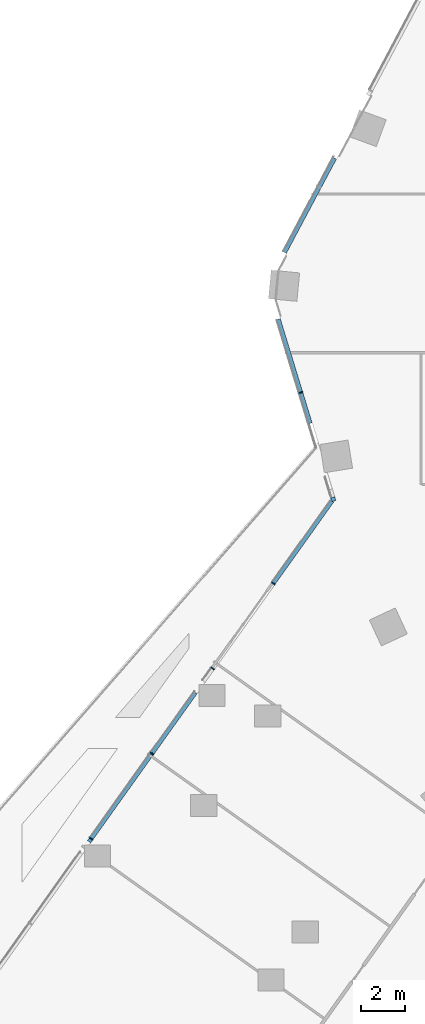
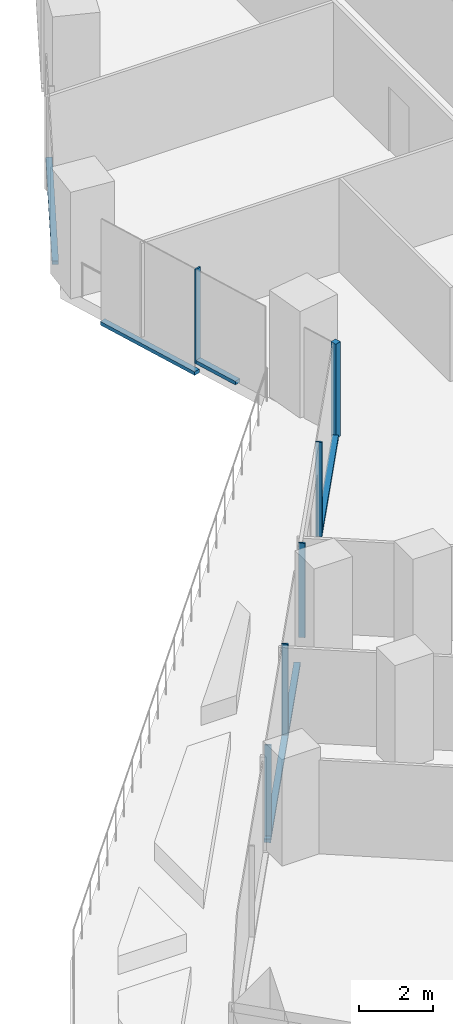
# One storey, part 6 of 30: 11 members, 3 elements without a shape of their own.
"""IFC4 building model written with IfcOpenShell, lengths in metres."""

from ifc_helpers import new_model, si_unit, direction, frame, origin, origin_2d, place, context, subcontext, project, spatial, rectangle, extrude, material, material_profile, profile_set, type_object, element, aggregate, save


model = new_model("IFC4")

# Units and contexts
model_context = context("Model", 3, precision=1e-05, world=origin(), true_north=direction((0.0, 1.0)))
body_context = subcontext(model_context, "Body", "Model", "MODEL_VIEW")
ifc_project = project(units=[si_unit("LENGTHUNIT", "METRE"), si_unit("AREAUNIT", "SQUARE_METRE"), si_unit("VOLUMEUNIT", "CUBIC_METRE"), si_unit("PLANEANGLEUNIT", "RADIAN"), si_unit("MASSUNIT", "GRAM", prefix="KILO")], contexts=[model_context])

# Site, building, storey
site_placement = place(None, origin())
site = spatial("IfcSite", under=ifc_project, at=site_placement, CompositionType="ELEMENT")
building_placement = place(site_placement, origin())
building = spatial("IfcBuilding", under=site, at=building_placement, Name="Orlundy Tower", CompositionType="ELEMENT")
storey_placement = place(building_placement, frame((0.0, 0.0, 80.699951171875)))
storey = spatial("IfcBuildingStorey", under=building, at=storey_placement, Name="L19", CompositionType="ELEMENT", Elevation=80.699951171875)

# Curtain wall, member
ifc_material_1 = material(Name="Aluminium bronze anodised", Category="aluminium")
curtain_wall_type = type_object("IfcCurtainWallType", Name="CW1 wall", PredefinedType="NOTDEFINED", material=ifc_material_1)
curtain_wall_1_placement = place(storey_placement, origin())
curtain_wall_1 = element("IfcCurtainWall", 1, at=curtain_wall_1_placement, inside=storey, type_object=curtain_wall_type, Name="CW1 run 01", PredefinedType="NOTDEFINED")
ifc_material_2 = material(Name="Aluminium bronze anodised", Category="aluminium")
ifc_material_profile_1 = material_profile(ifc_material_2, rectangle(XDim=0.179931640625, YDim=0.179931640625, at=origin_2d()), Name="CW1 corner post 180x180")
ifc_profile_set_1 = profile_set([ifc_material_profile_1], Name="Aluminium bronze anodised")
member_type_1 = type_object("IfcMemberType", Name="CW1 corner post 180x180", PredefinedType="MULLION", material=ifc_profile_set_1)
member_1_placement = place(storey_placement, frame((-29.427978515625, -6.660888671875, 0.0), z_axis=(0.0, 0.0, 1.0), x_axis=(-0.956299228529, -0.292389783533, 0.0)))
member_1 = element("IfcMember", 2, at=member_1_placement, type_object=member_type_1, Name="CW1 mullion 7", PredefinedType="MULLION", context=body_context, shape_type="SweptSolid", body=[
    extrude(rectangle(XDim=0.179931640625, YDim=0.179931640625, at=origin_2d()), origin(), (0.0, 0.0, 1.0), 3.10009765625),
])

# Curtain wall, members
curtain_wall_2_placement = place(storey_placement, origin())
curtain_wall_2 = element("IfcCurtainWall", 3, at=curtain_wall_2_placement, inside=storey, type_object=curtain_wall_type, Name="CW1 run 00", PredefinedType="NOTDEFINED")
ifc_material_3 = material(Name="Aluminium bronze anodised", Category="aluminium")
ifc_material_profile_2 = material_profile(ifc_material_3, rectangle(XDim=0.179931640625, YDim=0.050048828125, at=origin_2d()), Name="CW1 mullion 50x180")
ifc_profile_set_2 = profile_set([ifc_material_profile_2], Name="Aluminium bronze anodised")
member_type_2 = type_object("IfcMemberType", Name="CW1 mullion 50x180", PredefinedType="MULLION", material=ifc_profile_set_2)
member_2_placement = place(storey_placement, frame((-40.4482421875, -22.11083984375, 0.0), z_axis=(0.0, 0.0, 1.0), x_axis=(-0.814116921316, 0.580700988829, 0.0)))
member_2 = element("IfcMember", 4, at=member_2_placement, type_object=member_type_2, Name="CW1 mullion 3", PredefinedType="MULLION", context=body_context, shape_type="SweptSolid", body=[
    extrude(rectangle(XDim=0.179931640625, YDim=0.050048828125, at=origin_2d()), origin(), (0.0, 0.0, 1.0), 3.10009765625),
])
member_3_placement = place(storey_placement, frame((-37.686767578125, -18.2392578125, 0.0), z_axis=(0.0, 0.0, 1.0), x_axis=(-0.814116921316, 0.580700988829, 0.0)))
member_3 = element("IfcMember", 5, at=member_3_placement, type_object=member_type_2, Name="CW1 mullion 4", PredefinedType="MULLION", context=body_context, shape_type="SweptSolid", body=[
    extrude(rectangle(XDim=0.179931640625, YDim=0.050048828125, at=origin_2d()), origin(), (0.0, 0.0, 1.0), 3.10009765625),
])
member_4_placement = place(storey_placement, frame((-34.92529296875, -14.36767578125, 0.0), z_axis=(0.0, 0.0, 1.0), x_axis=(-0.814116921316, 0.580700988829, 0.0)))
member_4 = element("IfcMember", 6, at=member_4_placement, type_object=member_type_2, Name="CW1 mullion 5", PredefinedType="MULLION", context=body_context, shape_type="SweptSolid", body=[
    extrude(rectangle(XDim=0.179931640625, YDim=0.050048828125, at=origin_2d()), origin(), (0.0, 0.0, 1.0), 3.10009765625),
])
member_5_placement = place(storey_placement, frame((-32.163818359375, -10.496337890625, 0.0), z_axis=(0.0, 0.0, 1.0), x_axis=(-0.814116921316, 0.580700988829, 0.0)))
member_5 = element("IfcMember", 7, at=member_5_placement, type_object=member_type_2, Name="CW1 mullion 6", PredefinedType="MULLION", context=body_context, shape_type="SweptSolid", body=[
    extrude(rectangle(XDim=0.179931640625, YDim=0.050048828125, at=origin_2d()), origin(), (0.0, 0.0, 1.0), 3.10009765625),
])

# Member
member_6_placement = place(storey_placement, frame((-30.91162109375, -1.808837890625, 0.0), z_axis=(0.0, 0.0, 1.0), x_axis=(-0.956299228529, -0.292389783533, 0.0)))
member_6 = element("IfcMember", 8, at=member_6_placement, type_object=member_type_2, Name="CW1 mullion 8", PredefinedType="MULLION", context=body_context, shape_type="SweptSolid", body=[
    extrude(rectangle(XDim=0.179931640625, YDim=0.050048828125, at=origin_2d()), origin(), (0.0, 0.0, 1.0), 3.10009765625),
])

ifc_material_4 = material(Name="Aluminium bronze anodised", Category="aluminium")
ifc_material_profile_3 = material_profile(ifc_material_4, rectangle(XDim=0.179931640625, YDim=0.1201171875, at=origin_2d()), Name="CW1 transom 180x120")
ifc_profile_set_3 = profile_set([ifc_material_profile_3], Name="Aluminium bronze anodised")
member_type_3 = type_object("IfcMemberType", Name="CW1 transom 180x120", PredefinedType="USERDEFINED", material=ifc_profile_set_3)
member_7_placement = place(storey_placement, frame((-40.547607421875, -22.25, 0.06005859375), z_axis=(0.580695047202, 0.814121159383, 0.0), x_axis=(-0.814121159383, 0.580695047202, 0.0)))
member_7 = element("IfcMember", 9, at=member_7_placement, type_object=member_type_3, Name="CW1 transom", ObjectType="TRANSOM", PredefinedType="USERDEFINED", context=body_context, shape_type="SweptSolid", body=[
    extrude(rectangle(XDim=0.179931640625, YDim=0.1201171875, at=origin_2d()), origin(), (0.0, 0.0, 1.0), 8.3359375),
])

member_8_placement = place(storey_placement, frame((-32.149169921875, -10.475830078125, 0.06005859375), z_axis=(0.580692597785, 0.814122906494, 0.0), x_axis=(-0.814122906494, 0.580692597785, 0.0)))
member_8 = element("IfcMember", 10, at=member_8_placement, type_object=member_type_3, Name="CW1 transom", ObjectType="TRANSOM", PredefinedType="USERDEFINED", context=body_context, shape_type="SweptSolid", body=[
    extrude(rectangle(XDim=0.179931640625, YDim=0.1201171875, at=origin_2d()), origin(), (0.0, 0.0, 1.0), 4.572509765625),
])

aggregate(curtain_wall_2, [member_2, member_3, member_4, member_5, member_7, member_8])

member_9_placement = place(storey_placement, frame((-30.48291015625, -3.2109375, 0.06005859375), z_axis=(-0.292394990368, 0.956297636517, 0.0), x_axis=(-0.956297636517, -0.292394990368, 0.0)))
member_9 = element("IfcMember", 11, at=member_9_placement, type_object=member_type_3, Name="CW1 transom", ObjectType="TRANSOM", PredefinedType="USERDEFINED", context=body_context, shape_type="SweptSolid", body=[
    extrude(rectangle(XDim=0.179931640625, YDim=0.1201171875, at=origin_2d()), origin(), (0.0, 0.0, 1.0), 1.441162109375),
])

member_10_placement = place(storey_placement, frame((-30.9189453125, -1.784912109375, -0.33984375), z_axis=(-0.292388454917, 0.956299634754, 0.0), x_axis=(-0.956299634754, -0.292388454917, 0.0)))
member_10 = element("IfcMember", 12, at=member_10_placement, type_object=member_type_3, Name="CW1 transom", ObjectType="TRANSOM", PredefinedType="USERDEFINED", context=body_context, shape_type="SweptSolid", body=[
    extrude(rectangle(XDim=0.179931640625, YDim=0.1201171875, at=origin_2d()), origin(), (0.0, 0.0, 1.0), 3.4677734375),
])

aggregate(curtain_wall_1, [member_1, member_6, member_9, member_10])

# Curtain wall, member
curtain_wall_3_placement = place(storey_placement, origin())
curtain_wall_3 = element("IfcCurtainWall", 13, at=curtain_wall_3_placement, inside=storey, type_object=curtain_wall_type, Name="CW1 run 02", PredefinedType="NOTDEFINED")
member_11_placement = place(storey_placement, frame((-31.6494140625, 4.568603515625, -0.33984375), z_axis=(0.469430575573, 0.882969384927, 0.0), x_axis=(-0.882969384927, 0.469430575573, 0.0)))
member_11 = element("IfcMember", 14, at=member_11_placement, type_object=member_type_3, Name="CW1 transom", ObjectType="TRANSOM", PredefinedType="USERDEFINED", context=body_context, shape_type="SweptSolid", body=[
    extrude(rectangle(XDim=0.179931640625, YDim=0.1201171875, at=origin_2d()), origin(), (0.0, 0.0, 1.0), 4.861572265625),
])
aggregate(curtain_wall_3, [member_11])

save(model, "model.ifc")
